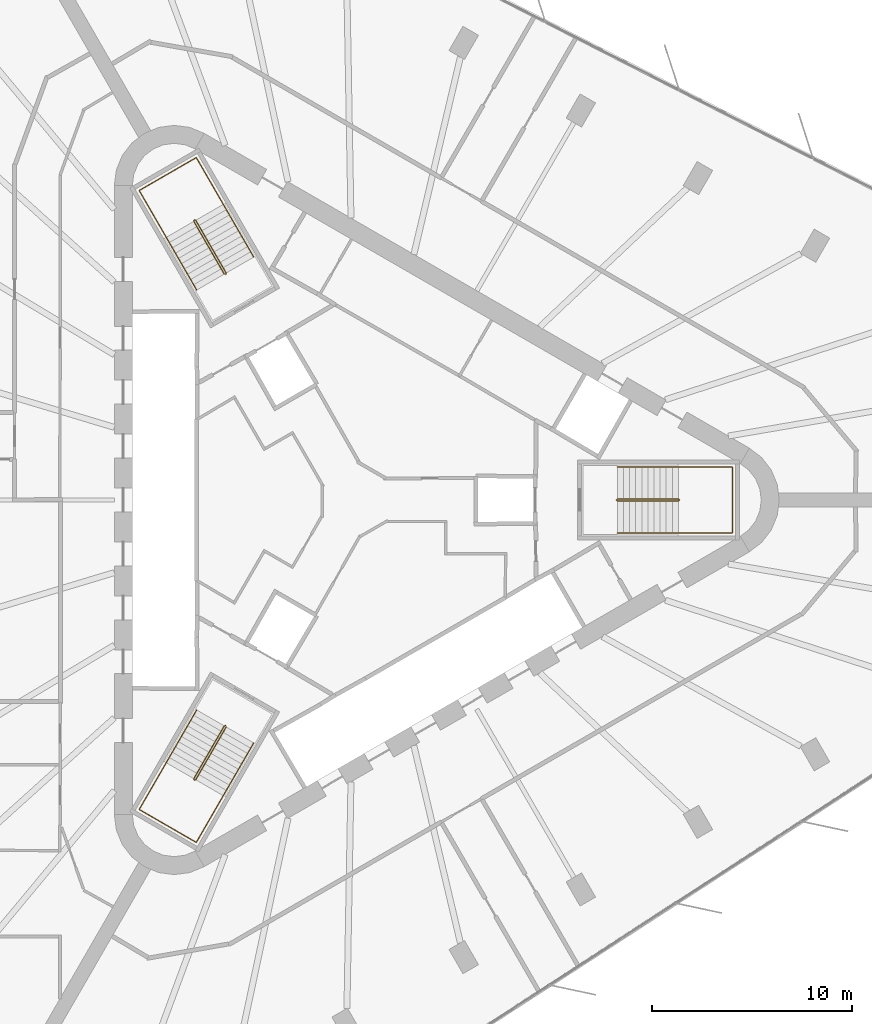
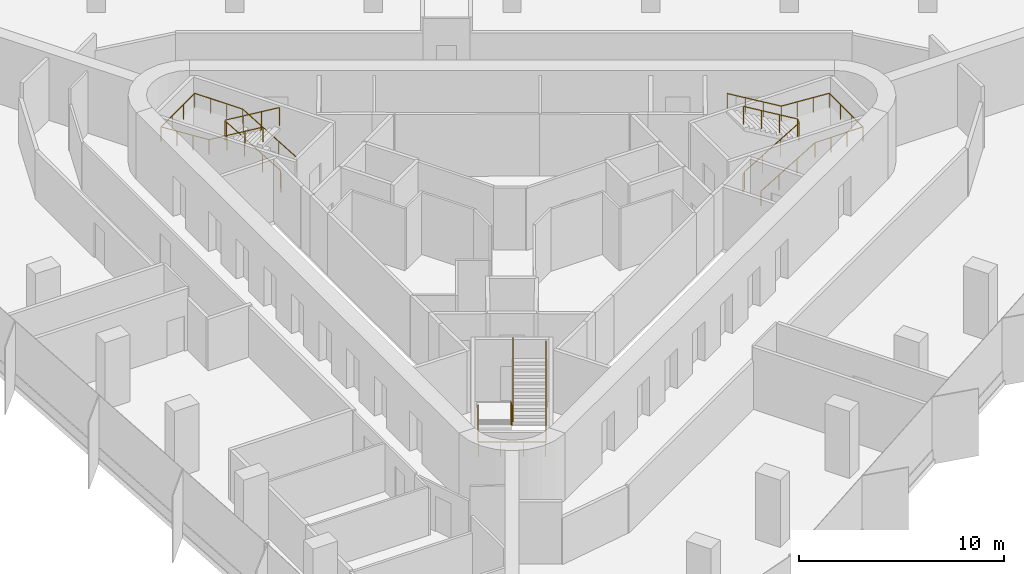
# One storey, part 13 of 13: 6 railings.
"""IFC4 building model written with IfcOpenShell, lengths in metres."""

from ifc_helpers import new_model, si_unit, direction, frame, origin, origin_2d, place, context, subcontext, project, spatial, circle, extrude, material, type_object, element, save


model = new_model("IFC4")

# Units and contexts
model_context = context("Model", 3, precision=1e-05, world=origin(), true_north=direction((0.0, 1.0)))
body_context = subcontext(model_context, "Body", "Model", "MODEL_VIEW")
ifc_project = project(units=[si_unit("LENGTHUNIT", "METRE"), si_unit("AREAUNIT", "SQUARE_METRE"), si_unit("VOLUMEUNIT", "CUBIC_METRE"), si_unit("PLANEANGLEUNIT", "RADIAN"), si_unit("MASSUNIT", "GRAM", prefix="KILO")], contexts=[model_context])

# Site, building, storey
site_placement = place(None, origin())
site = spatial("IfcSite", under=ifc_project, at=site_placement, CompositionType="ELEMENT")
building_placement = place(site_placement, origin())
building = spatial("IfcBuilding", under=site, at=building_placement, Name="Tanit Gate Tower", CompositionType="ELEMENT")
storey_placement = place(building_placement, frame((0.0, 0.0, 173.199951171875)))
storey = spatial("IfcBuildingStorey", under=building, at=storey_placement, Name="L37", CompositionType="ELEMENT", Elevation=173.199951171875)

# Railings
ifc_material_1 = material(Name="Stainless steel balustrade", Category="steel")
railing_type_1 = type_object("IfcRailingType", Name="INT-STAIR-GUARD", PredefinedType="GUARDRAIL", material=ifc_material_1)
railing_1_placement = place(storey_placement, frame((13.044921875, 0.0048828125, 0.0)))
element("IfcRailing", 1, at=railing_1_placement, inside=storey, type_object=railing_type_1, Name="L37 S1 stair guard 1", PredefinedType="GUARDRAIL", context=body_context, shape_type="SweptSolid", body=[
    extrude(circle(Radius=0.02392578125, at=origin_2d()), frame((0.0, 0.0, 1.076171875), z_axis=(0.0, -1.0, 0.0), x_axis=(1.0, 0.0, 0.0)), (0.0, 0.0, 1.0), 0.009765625),
    extrude(circle(Radius=0.02392578125, at=origin_2d()), frame((0.0, -0.009765625, 1.076171875), z_axis=(0.256435381639, -0.256435381639, 0.931923704005), x_axis=(0.707106781187, 0.707106781187, 0.0)), (0.0, 0.0, 1.0), 0.195068359375),
    extrude(circle(Radius=0.02392578125, at=origin_2d()), frame((0.050048828125, -0.059814453125, 1.2578125), z_axis=(0.859041732319, 0.0, 0.511905559781), x_axis=(0.0, 1.0, 0.0)), (0.0, 0.0, 1.0), 3.5517578125),
    extrude(circle(Radius=0.02392578125, at=origin_2d()), frame((3.10107421875, -0.059814453125, 3.076171875), z_axis=(0.707106781187, 0.707106781187, 0.0), x_axis=(-0.707106781187, 0.707106781187, 0.0)), (0.0, 0.0, 1.0), 0.07080078125),
    extrude(circle(Radius=0.02392578125, at=origin_2d()), frame((3.151123046875, -0.009765625, 3.076171875), z_axis=(0.0, 1.0, 0.0), x_axis=(-1.0, 0.0, 0.0)), (0.0, 0.0, 1.0), 0.009765625),
    extrude(circle(Radius=0.02392578125, at=origin_2d()), frame((3.151123046875, 0.0, 3.076171875), z_axis=(-0.256435381639, 0.256435381639, 0.931923704005), x_axis=(-0.707106781187, -0.707106781187, 0.0)), (0.0, 0.0, 1.0), 0.195068359375),
    extrude(circle(Radius=0.02392578125, at=origin_2d()), frame((3.10107421875, 0.050048828125, 3.2578125), z_axis=(-0.859041732319, 0.0, 0.511905559781), x_axis=(0.0, -1.0, 0.0)), (0.0, 0.0, 1.0), 3.5517578125),
    extrude(circle(Radius=0.02099609375, at=origin_2d()), origin(), (0.0, 0.0, 1.0), 1.052001953125),
    extrude(circle(Radius=0.02099609375, at=origin_2d()), frame((0.0, -0.009765625, 0.0)), (0.0, 0.0, 1.0), 1.052001953125),
    extrude(circle(Radius=0.02099609375, at=origin_2d()), frame((0.050048828125, -0.059814453125, 0.181884765625)), (0.0, 0.0, 1.0), 1.052001953125),
    extrude(circle(Radius=0.02099609375, at=origin_2d()), frame((1.067138671875, -0.059814453125, 0.787841796875)), (0.0, 0.0, 1.0), 1.052001953125),
    extrude(circle(Radius=0.02099609375, at=origin_2d()), frame((2.083984375, -0.059814453125, 1.39404296875)), (0.0, 0.0, 1.0), 1.052001953125),
    extrude(circle(Radius=0.02099609375, at=origin_2d()), frame((3.10107421875, -0.059814453125, 2.0)), (0.0, 0.0, 1.0), 1.052001953125),
    extrude(circle(Radius=0.02099609375, at=origin_2d()), frame((3.151123046875, -0.009765625, 2.0)), (0.0, 0.0, 1.0), 1.052001953125),
    extrude(circle(Radius=0.02099609375, at=origin_2d()), frame((3.151123046875, 0.0, 2.0)), (0.0, 0.0, 1.0), 1.052001953125),
    extrude(circle(Radius=0.02099609375, at=origin_2d()), frame((3.10107421875, 0.050048828125, 2.181884765625)), (0.0, 0.0, 1.0), 1.052001953125),
    extrude(circle(Radius=0.02099609375, at=origin_2d()), frame((2.083984375, 0.050048828125, 2.787841796875)), (0.0, 0.0, 1.0), 1.052001953125),
    extrude(circle(Radius=0.02099609375, at=origin_2d()), frame((1.067138671875, 0.050048828125, 3.39404296875)), (0.0, 0.0, 1.0), 1.052001953125),
    extrude(circle(Radius=0.02099609375, at=origin_2d()), frame((0.050048828125, 0.050048828125, 4.0)), (0.0, 0.0, 1.0), 1.052001953125),
])
railing_2_placement = place(storey_placement, frame((-6.527099609375, 11.29345703125, 0.0)))
element("IfcRailing", 2, at=railing_2_placement, inside=storey, type_object=railing_type_1, Name="L37 S2 stair guard 1", PredefinedType="GUARDRAIL", context=body_context, shape_type="SweptSolid", body=[
    extrude(circle(Radius=0.02392578125, at=origin_2d()), frame((0.0, 0.0, 1.076171875), z_axis=(0.868243142124, 0.496138938357, 0.0), x_axis=(-0.496138938357, 0.868243142124, 0.0)), (0.0, 0.0, 1.0), 0.01171875),
    extrude(circle(Radius=0.02392578125, at=origin_2d()), frame((0.01025390625, 0.005859375, 1.076171875), z_axis=(0.093819657636, 0.350260055175, 0.93194193252), x_axis=(-0.965948051503, 0.258736085224, 0.0)), (0.0, 0.0, 1.0), 0.195068359375),
    extrude(circle(Radius=0.02392578125, at=origin_2d()), frame((0.028564453125, 0.07421875, 1.2578125), z_axis=(-0.429472220917, 0.743822504634, 0.512134448226), x_axis=(-0.866012246495, -0.500022788402, 0.0)), (0.0, 0.0, 1.0), 3.550048828125),
    extrude(circle(Radius=0.02392578125, at=origin_2d()), frame((-1.49609375, 2.71484375, 3.076171875), z_axis=(-0.965715946433, 0.259601060869, 0.0), x_axis=(-0.259601060869, -0.965715946433, 0.0)), (0.0, 0.0, 1.0), 0.070556640625),
    extrude(circle(Radius=0.02392578125, at=origin_2d()), frame((-1.564208984375, 2.733154296875, 3.076171875), z_axis=(-0.873197702015, -0.487366159264, 0.0), x_axis=(0.487366159264, -0.873197702015, 0.0)), (0.0, 0.0, 1.0), 0.011962890625),
    extrude(circle(Radius=0.02392578125, at=origin_2d()), frame((-1.57470703125, 2.727294921875, 3.076171875), z_axis=(-0.093819657636, -0.350260055175, 0.93194193252), x_axis=(0.965948051503, -0.258736085224, 0.0)), (0.0, 0.0, 1.0), 0.195068359375),
    extrude(circle(Radius=0.02392578125, at=origin_2d()), frame((-1.593017578125, 2.658935546875, 3.2578125), z_axis=(0.429472220917, -0.743822504634, 0.512134448226), x_axis=(0.866012246495, 0.500022788402, 0.0)), (0.0, 0.0, 1.0), 3.550048828125),
    extrude(circle(Radius=0.02099609375, at=origin_2d()), origin(), (0.0, 0.0, 1.0), 1.052001953125),
    extrude(circle(Radius=0.02099609375, at=origin_2d()), frame((0.01025390625, 0.005859375, 0.0)), (0.0, 0.0, 1.0), 1.052001953125),
    extrude(circle(Radius=0.02099609375, at=origin_2d()), frame((0.028564453125, 0.07421875, 0.181884765625)), (0.0, 0.0, 1.0), 1.052001953125),
    extrude(circle(Radius=0.02099609375, at=origin_2d()), frame((-0.479736328125, 0.954345703125, 0.787841796875)), (0.0, 0.0, 1.0), 1.052001953125),
    extrude(circle(Radius=0.02099609375, at=origin_2d()), frame((-0.98779296875, 1.834716796875, 1.39404296875)), (0.0, 0.0, 1.0), 1.052001953125),
    extrude(circle(Radius=0.02099609375, at=origin_2d()), frame((-1.49609375, 2.71484375, 2.0)), (0.0, 0.0, 1.0), 1.052001953125),
    extrude(circle(Radius=0.02099609375, at=origin_2d()), frame((-1.564208984375, 2.733154296875, 2.0)), (0.0, 0.0, 1.0), 1.052001953125),
    extrude(circle(Radius=0.02099609375, at=origin_2d()), frame((-1.57470703125, 2.727294921875, 2.0)), (0.0, 0.0, 1.0), 1.052001953125),
    extrude(circle(Radius=0.02099609375, at=origin_2d()), frame((-1.593017578125, 2.658935546875, 2.181884765625)), (0.0, 0.0, 1.0), 1.052001953125),
    extrude(circle(Radius=0.02099609375, at=origin_2d()), frame((-1.084716796875, 1.77880859375, 2.787841796875)), (0.0, 0.0, 1.0), 1.052001953125),
    extrude(circle(Radius=0.02099609375, at=origin_2d()), frame((-0.57666015625, 0.8984375, 3.39404296875)), (0.0, 0.0, 1.0), 1.052001953125),
    extrude(circle(Radius=0.02099609375, at=origin_2d()), frame((-0.068359375, 0.018310546875, 4.0)), (0.0, 0.0, 1.0), 1.052001953125),
])
railing_3_placement = place(storey_placement, frame((-6.51806640625, -11.2998046875, 0.0)))
element("IfcRailing", 3, at=railing_3_placement, inside=storey, type_object=railing_type_1, Name="L37 S3 stair guard 1", PredefinedType="GUARDRAIL", context=body_context, shape_type="SweptSolid", body=[
    extrude(circle(Radius=0.02392578125, at=origin_2d()), frame((0.0, 0.0, 1.076171875), z_axis=(-0.874157276122, 0.485642931179, 0.0), x_axis=(-0.485642931179, -0.874157276122, 0.0)), (0.0, 0.0, 1.0), 0.010009765625),
    extrude(circle(Radius=0.02392578125, at=origin_2d()), frame((-0.0087890625, 0.0048828125, 1.076171875), z_axis=(-0.350300895388, -0.092579522353, 0.932050596658), x_axis=(0.255512919477, -0.966805641264, 0.0)), (0.0, 0.0, 1.0), 0.195068359375),
    extrude(circle(Radius=0.02392578125, at=origin_2d()), frame((-0.0771484375, -0.01318359375, 1.2578125), z_axis=(-0.429486674828, -0.743971555965, 0.511905772639), x_axis=(0.866048339477, -0.499960272111, 0.0)), (0.0, 0.0, 1.0), 3.5517578125),
    extrude(circle(Radius=0.02392578125, at=origin_2d()), frame((-1.6025390625, -2.655517578125, 3.076171875), z_axis=(0.258736085224, -0.965948051503, 0.0), x_axis=(0.965948051503, 0.258736085224, 0.0)), (0.0, 0.0, 1.0), 0.07080078125),
    extrude(circle(Radius=0.02392578125, at=origin_2d()), frame((-1.584228515625, -2.723876953125, 3.076171875), z_axis=(0.868243142124, -0.496138938357, 0.0), x_axis=(0.496138938357, 0.868243142124, 0.0)), (0.0, 0.0, 1.0), 0.009765625),
    extrude(circle(Radius=0.02392578125, at=origin_2d()), frame((-1.57568359375, -2.728759765625, 3.076171875), z_axis=(0.350260055175, 0.093819657636, 0.93194193252), x_axis=(-0.258736085224, 0.965948051503, 0.0)), (0.0, 0.0, 1.0), 0.195068359375),
    extrude(circle(Radius=0.02392578125, at=origin_2d()), frame((-1.50732421875, -2.71044921875, 3.2578125), z_axis=(0.429564698942, 0.743918894535, 0.511916836777), x_axis=(-0.865993683553, 0.500054937028, 0.0)), (0.0, 0.0, 1.0), 3.551513671875),
    extrude(circle(Radius=0.02099609375, at=origin_2d()), origin(), (0.0, 0.0, 1.0), 1.052001953125),
    extrude(circle(Radius=0.02099609375, at=origin_2d()), frame((-0.0087890625, 0.0048828125, 0.0)), (0.0, 0.0, 1.0), 1.052001953125),
    extrude(circle(Radius=0.02099609375, at=origin_2d()), frame((-0.0771484375, -0.01318359375, 0.181884765625)), (0.0, 0.0, 1.0), 1.052001953125),
    extrude(circle(Radius=0.02099609375, at=origin_2d()), frame((-0.585693359375, -0.89404296875, 0.787841796875)), (0.0, 0.0, 1.0), 1.052001953125),
    extrude(circle(Radius=0.02099609375, at=origin_2d()), frame((-1.093994140625, -1.774658203125, 1.39404296875)), (0.0, 0.0, 1.0), 1.052001953125),
    extrude(circle(Radius=0.02099609375, at=origin_2d()), frame((-1.6025390625, -2.655517578125, 2.0)), (0.0, 0.0, 1.0), 1.052001953125),
    extrude(circle(Radius=0.02099609375, at=origin_2d()), frame((-1.584228515625, -2.723876953125, 2.0)), (0.0, 0.0, 1.0), 1.052001953125),
    extrude(circle(Radius=0.02099609375, at=origin_2d()), frame((-1.57568359375, -2.728759765625, 2.0)), (0.0, 0.0, 1.0), 1.052001953125),
    extrude(circle(Radius=0.02099609375, at=origin_2d()), frame((-1.50732421875, -2.71044921875, 2.181884765625)), (0.0, 0.0, 1.0), 1.052001953125),
    extrude(circle(Radius=0.02099609375, at=origin_2d()), frame((-0.998779296875, -1.829833984375, 2.787841796875)), (0.0, 0.0, 1.0), 1.052001953125),
    extrude(circle(Radius=0.02099609375, at=origin_2d()), frame((-0.490234375, -0.948974609375, 3.39404296875)), (0.0, 0.0, 1.0), 1.052001953125),
    extrude(circle(Radius=0.02099609375, at=origin_2d()), frame((0.018310546875, -0.068359375, 4.0)), (0.0, 0.0, 1.0), 1.052001953125),
])
ifc_material_2 = material(Name="Stainless steel handrail", Category="steel")
railing_type_2 = type_object("IfcRailingType", Name="INT-STAIR-HANDRAIL", PredefinedType="HANDRAIL", material=ifc_material_2)
railing_4_placement = place(storey_placement, frame((13.094970703125, -1.64990234375, 0.181884765625)))
element("IfcRailing", 4, at=railing_4_placement, inside=storey, type_object=railing_type_2, Name="L37 S1 stair handrail 1", PredefinedType="HANDRAIL", context=body_context, shape_type="SweptSolid", body=[
    extrude(circle(Radius=0.02392578125, at=origin_2d()), frame((0.0, 0.0, 0.8759765625), z_axis=(0.859041732319, 0.0, 0.511905559781), x_axis=(0.0, 1.0, 0.0)), (0.0, 0.0, 1.0), 3.5517578125),
    extrude(circle(Radius=0.02392578125, at=origin_2d()), frame((3.051025390625, 0.0, 2.69384765625), z_axis=(1.0, 0.0, 0.0), x_axis=(0.0, 1.0, 0.0)), (0.0, 0.0, 1.0), 2.7041015625),
    extrude(circle(Radius=0.02392578125, at=origin_2d()), frame((5.755126953125, 0.0, 2.69384765625), z_axis=(0.0, 1.0, 0.0), x_axis=(-1.0, 0.0, 0.0)), (0.0, 0.0, 1.0), 3.2998046875),
    extrude(circle(Radius=0.02392578125, at=origin_2d()), frame((5.755126953125, 3.2998046875, 2.69384765625), z_axis=(-0.997745521698, 0.0, 0.067110907698), x_axis=(0.0, -1.0, 0.0)), (0.0, 0.0, 1.0), 2.710205078125),
    extrude(circle(Radius=0.02392578125, at=origin_2d()), frame((3.051025390625, 3.2998046875, 2.8759765625), z_axis=(-0.859041732319, 0.0, 0.511905559781), x_axis=(0.0, -1.0, 0.0)), (0.0, 0.0, 1.0), 3.5517578125),
    extrude(circle(Radius=0.02099609375, at=origin_2d()), origin(), (0.0, 0.0, 1.0), 0.851806640625),
    extrude(circle(Radius=0.02099609375, at=origin_2d()), frame((1.01708984375, 0.0, 0.60595703125)), (0.0, 0.0, 1.0), 0.851806640625),
    extrude(circle(Radius=0.02099609375, at=origin_2d()), frame((2.033935546875, 0.0, 1.212158203125)), (0.0, 0.0, 1.0), 0.851806640625),
    extrude(circle(Radius=0.02099609375, at=origin_2d()), frame((3.051025390625, 0.0, 1.818115234375)), (0.0, 0.0, 1.0), 0.851806640625),
    extrude(circle(Radius=0.02099609375, at=origin_2d()), frame((3.952392578125, 0.0, 1.818115234375)), (0.0, 0.0, 1.0), 0.851806640625),
    extrude(circle(Radius=0.02099609375, at=origin_2d()), frame((4.853759765625, 0.0, 1.818115234375)), (0.0, 0.0, 1.0), 0.851806640625),
    extrude(circle(Radius=0.02099609375, at=origin_2d()), frame((5.755126953125, 0.0, 1.818115234375)), (0.0, 0.0, 1.0), 0.851806640625),
    extrude(circle(Radius=0.02099609375, at=origin_2d()), frame((5.755126953125, 1.099853515625, 1.818115234375)), (0.0, 0.0, 1.0), 0.851806640625),
    extrude(circle(Radius=0.02099609375, at=origin_2d()), frame((5.755126953125, 2.199951171875, 1.818115234375)), (0.0, 0.0, 1.0), 0.851806640625),
    extrude(circle(Radius=0.02099609375, at=origin_2d()), frame((5.755126953125, 3.2998046875, 1.818115234375)), (0.0, 0.0, 1.0), 0.851806640625),
    extrude(circle(Radius=0.02099609375, at=origin_2d()), frame((4.853759765625, 3.2998046875, 1.878662109375)), (0.0, 0.0, 1.0), 0.851806640625),
    extrude(circle(Radius=0.02099609375, at=origin_2d()), frame((3.952392578125, 3.2998046875, 1.939453125)), (0.0, 0.0, 1.0), 0.851806640625),
    extrude(circle(Radius=0.02099609375, at=origin_2d()), frame((3.051025390625, 3.2998046875, 2.0)), (0.0, 0.0, 1.0), 0.851806640625),
    extrude(circle(Radius=0.02099609375, at=origin_2d()), frame((2.033935546875, 3.2998046875, 2.60595703125)), (0.0, 0.0, 1.0), 0.851806640625),
    extrude(circle(Radius=0.02099609375, at=origin_2d()), frame((1.01708984375, 3.2998046875, 3.212158203125)), (0.0, 0.0, 1.0), 0.851806640625),
    extrude(circle(Radius=0.02099609375, at=origin_2d()), frame((0.0, 3.2998046875, 3.818115234375)), (0.0, 0.0, 1.0), 0.851806640625),
])
railing_5_placement = place(storey_placement, frame((-5.1181640625, 12.164794921875, 0.181884765625)))
element("IfcRailing", 5, at=railing_5_placement, inside=storey, type_object=railing_type_2, Name="L37 S2 stair handrail 1", PredefinedType="HANDRAIL", context=body_context, shape_type="SweptSolid", body=[
    extrude(circle(Radius=0.02392578125, at=origin_2d()), frame((0.0, 0.0, 0.8759765625), z_axis=(-0.429416132344, 0.743844472684, 0.512149573602), x_axis=(-0.866046917185, -0.499962735845, 0.0)), (0.0, 0.0, 1.0), 3.550048828125),
    extrude(circle(Radius=0.02392578125, at=origin_2d()), frame((-1.5244140625, 2.640625, 2.69384765625), z_axis=(-0.500019123664, 0.86601436245, 0.0), x_axis=(-0.86601436245, -0.500019123664, 0.0)), (0.0, 0.0, 1.0), 2.70703125),
    extrude(circle(Radius=0.02392578125, at=origin_2d()), frame((-2.8779296875, 4.98486328125, 2.69384765625), z_axis=(-0.866008176907, -0.50002983664, 0.0), x_axis=(0.50002983664, -0.866008176907, 0.0)), (0.0, 0.0, 1.0), 3.300048828125),
    extrude(circle(Radius=0.02392578125, at=origin_2d()), frame((-5.73583984375, 3.334716796875, 2.69384765625), z_axis=(0.498932980467, -0.864043208057, 0.067046369128), x_axis=(0.865991810323, 0.500058181068, 0.0)), (0.0, 0.0, 1.0), 2.712890625),
    extrude(circle(Radius=0.02392578125, at=origin_2d()), frame((-4.38232421875, 0.99072265625, 2.8759765625), z_axis=(0.429450252752, -0.743853224023, 0.512108251761), x_axis=(0.866032263162, 0.499988119021, 0.0)), (0.0, 0.0, 1.0), 3.55029296875),
    extrude(circle(Radius=0.02099609375, at=origin_2d()), origin(), (0.0, 0.0, 1.0), 0.851806640625),
    extrude(circle(Radius=0.02099609375, at=origin_2d()), frame((-0.508056640625, 0.880126953125, 0.60595703125)), (0.0, 0.0, 1.0), 0.851806640625),
    extrude(circle(Radius=0.02099609375, at=origin_2d()), frame((-1.016357421875, 1.760498046875, 1.212158203125)), (0.0, 0.0, 1.0), 0.851806640625),
    extrude(circle(Radius=0.02099609375, at=origin_2d()), frame((-1.5244140625, 2.640625, 1.818115234375)), (0.0, 0.0, 1.0), 0.851806640625),
    extrude(circle(Radius=0.02099609375, at=origin_2d()), frame((-1.9755859375, 3.422119140625, 1.818115234375)), (0.0, 0.0, 1.0), 0.851806640625),
    extrude(circle(Radius=0.02099609375, at=origin_2d()), frame((-2.4267578125, 4.203369140625, 1.818115234375)), (0.0, 0.0, 1.0), 0.851806640625),
    extrude(circle(Radius=0.02099609375, at=origin_2d()), frame((-2.8779296875, 4.98486328125, 1.818115234375)), (0.0, 0.0, 1.0), 0.851806640625),
    extrude(circle(Radius=0.02099609375, at=origin_2d()), frame((-3.83056640625, 4.434814453125, 1.818115234375)), (0.0, 0.0, 1.0), 0.851806640625),
    extrude(circle(Radius=0.02099609375, at=origin_2d()), frame((-4.783203125, 3.884765625, 1.818115234375)), (0.0, 0.0, 1.0), 0.851806640625),
    extrude(circle(Radius=0.02099609375, at=origin_2d()), frame((-5.73583984375, 3.334716796875, 1.818115234375)), (0.0, 0.0, 1.0), 0.851806640625),
    extrude(circle(Radius=0.02099609375, at=origin_2d()), frame((-5.28466796875, 2.553466796875, 1.878662109375)), (0.0, 0.0, 1.0), 0.851806640625),
    extrude(circle(Radius=0.02099609375, at=origin_2d()), frame((-4.83349609375, 1.77197265625, 1.939453125)), (0.0, 0.0, 1.0), 0.851806640625),
    extrude(circle(Radius=0.02099609375, at=origin_2d()), frame((-4.38232421875, 0.99072265625, 2.0)), (0.0, 0.0, 1.0), 0.851806640625),
    extrude(circle(Radius=0.02099609375, at=origin_2d()), frame((-3.8740234375, 0.1103515625, 2.60595703125)), (0.0, 0.0, 1.0), 0.851806640625),
    extrude(circle(Radius=0.02099609375, at=origin_2d()), frame((-3.365966796875, -0.769775390625, 3.212158203125)), (0.0, 0.0, 1.0), 0.851806640625),
    extrude(circle(Radius=0.02099609375, at=origin_2d()), frame((-2.857666015625, -1.650146484375, 3.818115234375)), (0.0, 0.0, 1.0), 0.851806640625),
])
railing_6_placement = place(storey_placement, frame((-7.9765625, -10.515625, 0.181884765625)))
element("IfcRailing", 6, at=railing_6_placement, inside=storey, type_object=railing_type_2, Name="L37 S3 stair handrail 1", PredefinedType="HANDRAIL", context=body_context, shape_type="SweptSolid", body=[
    extrude(circle(Radius=0.02392578125, at=origin_2d()), frame((0.0, 0.0, 0.8759765625), z_axis=(-0.429486674828, -0.743971555965, 0.511905772639), x_axis=(0.866048339477, -0.499960272111, 0.0)), (0.0, 0.0, 1.0), 3.5517578125),
    extrude(circle(Radius=0.02392578125, at=origin_2d()), frame((-1.525390625, -2.642333984375, 2.69384765625), z_axis=(-0.50004290449, -0.866000631449, 0.0), x_axis=(0.866000631449, -0.50004290449, 0.0)), (0.0, 0.0, 1.0), 2.703857421875),
    extrude(circle(Radius=0.02392578125, at=origin_2d()), frame((-2.87744140625, -4.98388671875, 2.69384765625), z_axis=(0.866008176907, -0.50002983664, 0.0), x_axis=(0.50002983664, 0.866008176907, 0.0)), (0.0, 0.0, 1.0), 3.300048828125),
    extrude(circle(Radius=0.02392578125, at=origin_2d()), frame((-0.01953125, -6.634033203125, 2.69384765625), z_axis=(0.498876541924, 0.864070745781, 0.067111416348), x_axis=(-0.866023205937, 0.500003806764, 0.0)), (0.0, 0.0, 1.0), 2.710205078125),
    extrude(circle(Radius=0.02392578125, at=origin_2d()), frame((1.33251953125, -4.292236328125, 2.8759765625), z_axis=(0.429486674828, 0.743971555965, 0.511905772639), x_axis=(-0.866048339477, 0.499960272111, 0.0)), (0.0, 0.0, 1.0), 3.5517578125),
    extrude(circle(Radius=0.02099609375, at=origin_2d()), origin(), (0.0, 0.0, 1.0), 0.851806640625),
    extrude(circle(Radius=0.02099609375, at=origin_2d()), frame((-0.508544921875, -0.880859375, 0.60595703125)), (0.0, 0.0, 1.0), 0.851806640625),
    extrude(circle(Radius=0.02099609375, at=origin_2d()), frame((-1.016845703125, -1.761474609375, 1.212158203125)), (0.0, 0.0, 1.0), 0.851806640625),
    extrude(circle(Radius=0.02099609375, at=origin_2d()), frame((-1.525390625, -2.642333984375, 1.818115234375)), (0.0, 0.0, 1.0), 0.851806640625),
    extrude(circle(Radius=0.02099609375, at=origin_2d()), frame((-1.97607421875, -3.4228515625, 1.818115234375)), (0.0, 0.0, 1.0), 0.851806640625),
    extrude(circle(Radius=0.02099609375, at=origin_2d()), frame((-2.4267578125, -4.203369140625, 1.818115234375)), (0.0, 0.0, 1.0), 0.851806640625),
    extrude(circle(Radius=0.02099609375, at=origin_2d()), frame((-2.87744140625, -4.98388671875, 1.818115234375)), (0.0, 0.0, 1.0), 0.851806640625),
    extrude(circle(Radius=0.02099609375, at=origin_2d()), frame((-1.9248046875, -5.533935546875, 1.818115234375)), (0.0, 0.0, 1.0), 0.851806640625),
    extrude(circle(Radius=0.02099609375, at=origin_2d()), frame((-0.97216796875, -6.083984375, 1.818115234375)), (0.0, 0.0, 1.0), 0.851806640625),
    extrude(circle(Radius=0.02099609375, at=origin_2d()), frame((-0.01953125, -6.634033203125, 1.818115234375)), (0.0, 0.0, 1.0), 0.851806640625),
    extrude(circle(Radius=0.02099609375, at=origin_2d()), frame((0.43115234375, -5.853515625, 1.878662109375)), (0.0, 0.0, 1.0), 0.851806640625),
    extrude(circle(Radius=0.02099609375, at=origin_2d()), frame((0.8818359375, -5.07275390625, 1.939453125)), (0.0, 0.0, 1.0), 0.851806640625),
    extrude(circle(Radius=0.02099609375, at=origin_2d()), frame((1.33251953125, -4.292236328125, 2.0)), (0.0, 0.0, 1.0), 0.851806640625),
    extrude(circle(Radius=0.02099609375, at=origin_2d()), frame((1.841064453125, -3.411376953125, 2.60595703125)), (0.0, 0.0, 1.0), 0.851806640625),
    extrude(circle(Radius=0.02099609375, at=origin_2d()), frame((2.349365234375, -2.53076171875, 3.212158203125)), (0.0, 0.0, 1.0), 0.851806640625),
    extrude(circle(Radius=0.02099609375, at=origin_2d()), frame((2.85791015625, -1.64990234375, 3.818115234375)), (0.0, 0.0, 1.0), 0.851806640625),
])

save(model, "model.ifc")
